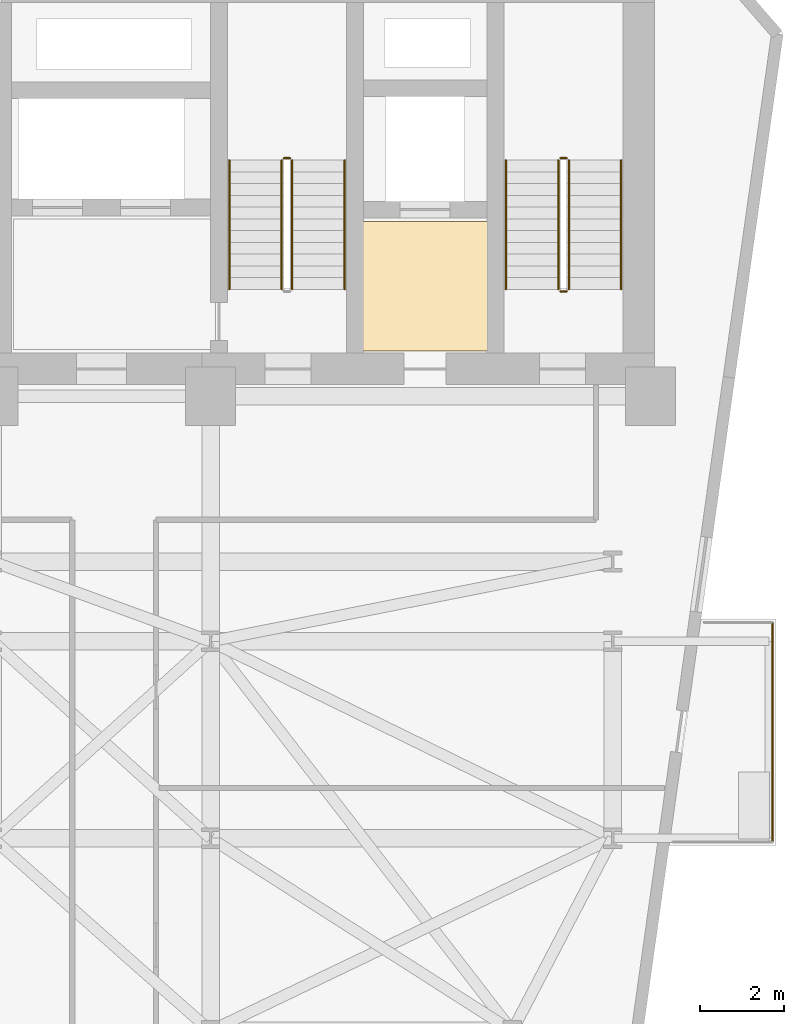
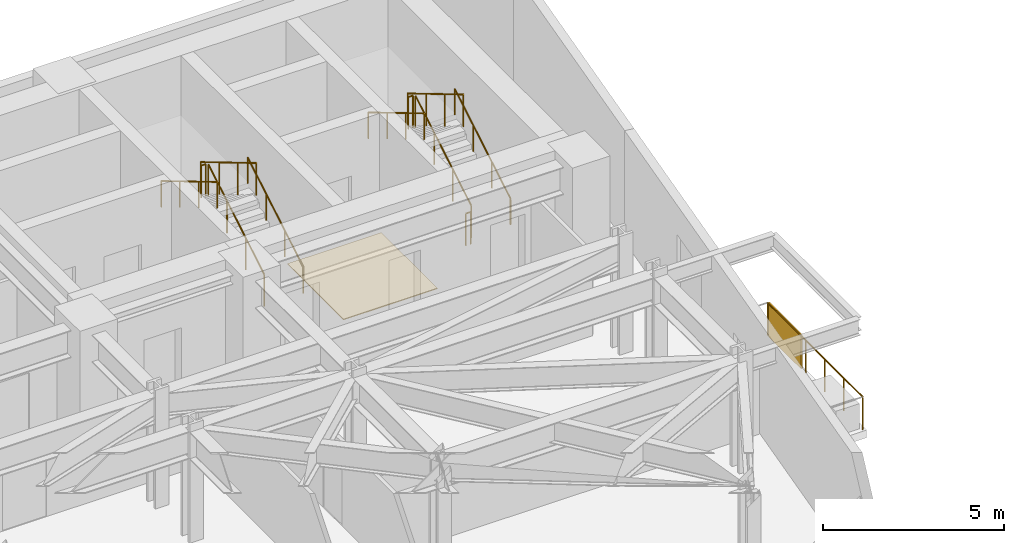
# One storey, part 24 of 24: 12 railings, 1 covering, 1 shading device.
"""IFC4 building model written with IfcOpenShell, lengths in metres."""

from ifc_helpers import new_model, si_unit, direction, frame, origin, origin_2d, place, context, subcontext, project, spatial, polyline, rectangle, circle, outline, extrude, material, layer, layer_set, type_object, element, save


model = new_model("IFC4")

# Units and contexts
model_context = context("Model", 3, precision=1e-05, world=origin(), true_north=direction((0.0, 1.0)))
body_context = subcontext(model_context, "Body", "Model", "MODEL_VIEW")
ifc_project = project(units=[si_unit("LENGTHUNIT", "METRE"), si_unit("AREAUNIT", "SQUARE_METRE"), si_unit("VOLUMEUNIT", "CUBIC_METRE"), si_unit("PLANEANGLEUNIT", "RADIAN"), si_unit("MASSUNIT", "GRAM", prefix="KILO")], contexts=[model_context])

# Site, building, storey
site_placement = place(None, origin())
site = spatial("IfcSite", under=ifc_project, at=site_placement, CompositionType="ELEMENT")
building_placement = place(site_placement, origin())
building = spatial("IfcBuilding", under=site, at=building_placement, Name="Kravanh Interchange Tower", CompositionType="ELEMENT")
storey_placement = place(building_placement, frame((0.0, 0.0, 77.5)))
storey = spatial("IfcBuildingStorey", under=building, at=storey_placement, Name="L18", CompositionType="ELEMENT", Elevation=77.5)

# Covering
ifc_material_1 = material(Name="Cementitious Terrazzo Tile")
ifc_layer_1 = layer(ifc_material_1, 0.030029296875)
ifc_layer_set_1 = layer_set([ifc_layer_1], Name="Honed Terrazzo Lobby Flooring 30mm")
covering_type = type_object("IfcCoveringType", Name="Honed Terrazzo Lobby Flooring 30mm", PredefinedType="FLOORING", material=ifc_layer_set_1)
covering_placement = place(storey_placement, origin())
element("IfcCovering", 1, at=covering_placement, inside=storey, type_object=covering_type, Name="L18 Service Lift Lobby Floor Finish", PredefinedType="FLOORING", context=body_context, shape_type="SweptSolid", body=[
    extrude(outline(polyline([(59.6298828125, 41.52001953125), (62.6201171875, 41.52001953125), (62.6201171875, 38.429931640625), (59.6298828125, 38.429931640625), (59.6298828125, 41.52001953125)])), origin(), (0.0, 0.0, 1.0), 0.030029296875),
])

# Shading device
ifc_material_2 = material(Name="Perforated Anodised Bronze Aluminium", Category="aluminium")
ifc_layer_2 = layer(ifc_material_2, 0.0400390625)
ifc_layer_set_2 = layer_set([ifc_layer_2], Name="Perforated Bronze Balcony Privacy Screen 1150mm")
shading_device_type = type_object("IfcShadingDeviceType", Name="Perforated Bronze Balcony Privacy Screen 1150mm", PredefinedType="USERDEFINED", material=ifc_layer_set_2)
shading_device_placement = place(storey_placement, frame((69.409912109375, 30.97998046875, 0.0), z_axis=(0.0, 0.0, 1.0), x_axis=(1.0, 0.0, 0.0)))
element("IfcShadingDevice", 2, at=shading_device_placement, inside=storey, type_object=shading_device_type, Name="L18 E Perforated Bronze BALCONY SCREEN", ObjectType="SCREEN", PredefinedType="USERDEFINED", context=body_context, shape_type="SweptSolid", body=[
    extrude(rectangle(XDim=0.0400390625, YDim=1.800048828125, at=origin_2d()), origin(), (0.0, 0.0, 1.0), 1.14990234375),
])

# Railings
ifc_material_3 = material(Name="Stainless Steel 316", Category="steel")
ifc_layer_3 = layer(ifc_material_3, 0.06005859375)
ifc_layer_set_3 = layer_set([ifc_layer_3], Name="Perimeter Balcony and Terrace Guardrail Stainless 316 1120mm")
railing_type_1 = type_object("IfcRailingType", Name="Perimeter Balcony and Terrace Guardrail Stainless 316 1120mm", PredefinedType="GUARDRAIL", material=ifc_layer_set_3)
railing_1_placement = place(storey_placement, frame((69.409912109375, 31.949951171875, 0.0)))
element("IfcRailing", 3, at=railing_1_placement, inside=storey, type_object=railing_type_1, Name="L18 E Balcony Guardrail 1", PredefinedType="GUARDRAIL", context=body_context, shape_type="SweptSolid", body=[
    extrude(circle(Radius=0.02392578125, at=origin_2d()), frame((0.0, 0.0, 1.09619140625), z_axis=(0.0, -1.0, 0.0), x_axis=(1.0, 0.0, 0.0)), (0.0, 0.0, 1.0), 5.239990234375),
    extrude(circle(Radius=0.02099609375, at=origin_2d()), origin(), (0.0, 0.0, 1.0), 1.072021484375),
    extrude(circle(Radius=0.02099609375, at=origin_2d()), frame((0.0, -1.048095703125, 0.0)), (0.0, 0.0, 1.0), 1.072021484375),
    extrude(circle(Radius=0.02099609375, at=origin_2d()), frame((0.0, -2.095947265625, 0.0)), (0.0, 0.0, 1.0), 1.072021484375),
    extrude(circle(Radius=0.02099609375, at=origin_2d()), frame((0.0, -3.14404296875, 0.0)), (0.0, 0.0, 1.0), 1.072021484375),
    extrude(circle(Radius=0.02099609375, at=origin_2d()), frame((0.0, -4.19189453125, 0.0)), (0.0, 0.0, 1.0), 1.072021484375),
    extrude(circle(Radius=0.02099609375, at=origin_2d()), frame((0.0, -5.239990234375, 0.0)), (0.0, 0.0, 1.0), 1.072021484375),
])
ifc_material_4 = material(Name="Structural Steel S355", Category="steel")
ifc_layer_4 = layer(ifc_material_4, 0.050048828125)
ifc_layer_set_4 = layer_set([ifc_layer_4], Name="Stair Well Guardrail Structural Steel S355 1100mm")
railing_type_2 = type_object("IfcRailingType", Name="Stair Well Guardrail Structural Steel S355 1100mm", PredefinedType="GUARDRAIL", material=ifc_layer_set_4)
railing_2_placement = place(storey_placement, frame((64.550048828125, 39.89990234375, 0.166748046875)))
element("IfcRailing", 4, at=railing_2_placement, inside=storey, type_object=railing_type_2, Name="L18 ST1 stair guard 1", PredefinedType="GUARDRAIL", context=body_context, shape_type="SweptSolid", body=[
    extrude(circle(Radius=0.02392578125, at=origin_2d()), frame((0.0, 0.0, 1.076171875), z_axis=(0.0, 0.859308565015, 0.511457515432), x_axis=(-1.0, 0.0, 0.0)), (0.0, 0.0, 1.0), 3.58447265625),
    extrude(circle(Radius=0.02099609375, at=origin_2d()), origin(), (0.0, 0.0, 1.0), 1.052001953125),
    extrude(circle(Radius=0.02099609375, at=origin_2d()), frame((0.0, 1.026611328125, 0.611083984375)), (0.0, 0.0, 1.0), 1.052001953125),
    extrude(circle(Radius=0.02099609375, at=origin_2d()), frame((0.0, 2.053466796875, 1.22216796875)), (0.0, 0.0, 1.0), 1.052001953125),
    extrude(circle(Radius=0.02099609375, at=origin_2d()), frame((0.0, 3.080078125, 1.833251953125)), (0.0, 0.0, 1.0), 1.052001953125),
])
railing_3_placement = place(storey_placement, frame((64.5, 43.030029296875, 2.0)))
element("IfcRailing", 5, at=railing_3_placement, inside=storey, type_object=railing_type_2, Name="L18 ST1 stair guard 2", PredefinedType="GUARDRAIL", context=body_context, shape_type="SweptSolid", body=[
    extrude(circle(Radius=0.02392578125, at=origin_2d()), frame((0.0, 0.0, 1.076171875), z_axis=(-1.0, 0.0, 0.0), x_axis=(0.0, -1.0, 0.0)), (0.0, 0.0, 1.0), 0.14990234375),
    extrude(circle(Radius=0.02099609375, at=origin_2d()), origin(), (0.0, 0.0, 1.0), 1.052001953125),
    extrude(circle(Radius=0.02099609375, at=origin_2d()), frame((-0.14990234375, 0.0, 0.0)), (0.0, 0.0, 1.0), 1.052001953125),
])
railing_4_placement = place(storey_placement, frame((64.300048828125, 42.97998046875, 2.166748046875)))
element("IfcRailing", 6, at=railing_4_placement, inside=storey, type_object=railing_type_2, Name="L18 ST1 stair guard 3", PredefinedType="GUARDRAIL", context=body_context, shape_type="SweptSolid", body=[
    extrude(circle(Radius=0.02392578125, at=origin_2d()), frame((0.0, 0.0, 1.076171875), z_axis=(0.0, -0.859308565015, 0.511457515432), x_axis=(1.0, 0.0, 0.0)), (0.0, 0.0, 1.0), 3.58447265625),
    extrude(circle(Radius=0.02099609375, at=origin_2d()), origin(), (0.0, 0.0, 1.0), 1.052001953125),
    extrude(circle(Radius=0.02099609375, at=origin_2d()), frame((0.0, -1.026611328125, 0.611083984375)), (0.0, 0.0, 1.0), 1.052001953125),
    extrude(circle(Radius=0.02099609375, at=origin_2d()), frame((0.0, -2.053466796875, 1.22216796875)), (0.0, 0.0, 1.0), 1.052001953125),
    extrude(circle(Radius=0.02099609375, at=origin_2d()), frame((0.0, -3.080078125, 1.833251953125)), (0.0, 0.0, 1.0), 1.052001953125),
])
railing_5_placement = place(storey_placement, frame((64.5, 39.85009765625, 0.0)))
element("IfcRailing", 7, at=railing_5_placement, inside=storey, type_object=railing_type_2, Name="L18 ST1 stair guard 4", PredefinedType="GUARDRAIL", context=body_context, shape_type="SweptSolid", body=[
    extrude(circle(Radius=0.02392578125, at=origin_2d()), frame((0.0, 0.0, 1.076171875), z_axis=(-1.0, 0.0, 0.0), x_axis=(0.0, -1.0, 0.0)), (0.0, 0.0, 1.0), 0.14990234375),
    extrude(circle(Radius=0.02099609375, at=origin_2d()), origin(), (0.0, 0.0, 1.0), 1.052001953125),
    extrude(circle(Radius=0.02099609375, at=origin_2d()), frame((-0.14990234375, 0.0, 0.0)), (0.0, 0.0, 1.0), 1.052001953125),
])
railing_6_placement = place(storey_placement, frame((57.949951171875, 39.89990234375, 0.166748046875)))
element("IfcRailing", 8, at=railing_6_placement, inside=storey, type_object=railing_type_2, Name="L18 ST2 stair guard 1", PredefinedType="GUARDRAIL", context=body_context, shape_type="SweptSolid", body=[
    extrude(circle(Radius=0.02392578125, at=origin_2d()), frame((0.0, 0.0, 1.076171875), z_axis=(0.0, 0.859308565015, 0.511457515432), x_axis=(-1.0, 0.0, 0.0)), (0.0, 0.0, 1.0), 3.58447265625),
    extrude(circle(Radius=0.02099609375, at=origin_2d()), origin(), (0.0, 0.0, 1.0), 1.052001953125),
    extrude(circle(Radius=0.02099609375, at=origin_2d()), frame((0.0, 1.026611328125, 0.611083984375)), (0.0, 0.0, 1.0), 1.052001953125),
    extrude(circle(Radius=0.02099609375, at=origin_2d()), frame((0.0, 2.053466796875, 1.22216796875)), (0.0, 0.0, 1.0), 1.052001953125),
    extrude(circle(Radius=0.02099609375, at=origin_2d()), frame((0.0, 3.080078125, 1.833251953125)), (0.0, 0.0, 1.0), 1.052001953125),
])
railing_7_placement = place(storey_placement, frame((57.89990234375, 43.030029296875, 2.0)))
element("IfcRailing", 9, at=railing_7_placement, inside=storey, type_object=railing_type_2, Name="L18 ST2 stair guard 2", PredefinedType="GUARDRAIL", context=body_context, shape_type="SweptSolid", body=[
    extrude(circle(Radius=0.02392578125, at=origin_2d()), frame((0.0, 0.0, 1.076171875), z_axis=(-1.0, 0.0, 0.0), x_axis=(0.0, -1.0, 0.0)), (0.0, 0.0, 1.0), 0.14990234375),
    extrude(circle(Radius=0.02099609375, at=origin_2d()), origin(), (0.0, 0.0, 1.0), 1.052001953125),
    extrude(circle(Radius=0.02099609375, at=origin_2d()), frame((-0.14990234375, 0.0, 0.0)), (0.0, 0.0, 1.0), 1.052001953125),
])
railing_8_placement = place(storey_placement, frame((57.699951171875, 42.97998046875, 2.166748046875)))
element("IfcRailing", 10, at=railing_8_placement, inside=storey, type_object=railing_type_2, Name="L18 ST2 stair guard 3", PredefinedType="GUARDRAIL", context=body_context, shape_type="SweptSolid", body=[
    extrude(circle(Radius=0.02392578125, at=origin_2d()), frame((0.0, 0.0, 1.076171875), z_axis=(0.0, -0.859308565015, 0.511457515432), x_axis=(1.0, 0.0, 0.0)), (0.0, 0.0, 1.0), 3.58447265625),
    extrude(circle(Radius=0.02099609375, at=origin_2d()), origin(), (0.0, 0.0, 1.0), 1.052001953125),
    extrude(circle(Radius=0.02099609375, at=origin_2d()), frame((0.0, -1.026611328125, 0.611083984375)), (0.0, 0.0, 1.0), 1.052001953125),
    extrude(circle(Radius=0.02099609375, at=origin_2d()), frame((0.0, -2.053466796875, 1.22216796875)), (0.0, 0.0, 1.0), 1.052001953125),
    extrude(circle(Radius=0.02099609375, at=origin_2d()), frame((0.0, -3.080078125, 1.833251953125)), (0.0, 0.0, 1.0), 1.052001953125),
])
ifc_material_5 = material(Name="Stainless Steel 304", Category="steel")
ifc_layer_5 = layer(ifc_material_5, 0.044921875)
ifc_layer_set_5 = layer_set([ifc_layer_5], Name="Tubular Stair Handrail Stainless 304 900mm")
railing_type_3 = type_object("IfcRailingType", Name="Tubular Stair Handrail Stainless 304 900mm", PredefinedType="HANDRAIL", material=ifc_layer_set_5)
railing_9_placement = place(storey_placement, frame((65.800048828125, 39.89990234375, 0.166748046875)))
element("IfcRailing", 11, at=railing_9_placement, inside=storey, type_object=railing_type_3, Name="L18 ST1 stair handrail 1", PredefinedType="HANDRAIL", context=body_context, shape_type="SweptSolid", body=[
    extrude(circle(Radius=0.02392578125, at=origin_2d()), frame((0.0, 0.0, 0.8759765625), z_axis=(0.0, 0.859308565015, 0.511457515432), x_axis=(-1.0, 0.0, 0.0)), (0.0, 0.0, 1.0), 3.58447265625),
    extrude(circle(Radius=0.02099609375, at=origin_2d()), origin(), (0.0, 0.0, 1.0), 0.851806640625),
    extrude(circle(Radius=0.02099609375, at=origin_2d()), frame((0.0, 1.026611328125, 0.611083984375)), (0.0, 0.0, 1.0), 0.851806640625),
    extrude(circle(Radius=0.02099609375, at=origin_2d()), frame((0.0, 2.053466796875, 1.22216796875)), (0.0, 0.0, 1.0), 0.851806640625),
    extrude(circle(Radius=0.02099609375, at=origin_2d()), frame((0.0, 3.080078125, 1.833251953125)), (0.0, 0.0, 1.0), 0.851806640625),
])
railing_10_placement = place(storey_placement, frame((63.050048828125, 42.97998046875, 2.166748046875)))
element("IfcRailing", 12, at=railing_10_placement, inside=storey, type_object=railing_type_3, Name="L18 ST1 stair handrail 2", PredefinedType="HANDRAIL", context=body_context, shape_type="SweptSolid", body=[
    extrude(circle(Radius=0.02392578125, at=origin_2d()), frame((0.0, 0.0, 0.8759765625), z_axis=(0.0, -0.859308565015, 0.511457515432), x_axis=(1.0, 0.0, 0.0)), (0.0, 0.0, 1.0), 3.58447265625),
    extrude(circle(Radius=0.02099609375, at=origin_2d()), origin(), (0.0, 0.0, 1.0), 0.851806640625),
    extrude(circle(Radius=0.02099609375, at=origin_2d()), frame((0.0, -1.026611328125, 0.611083984375)), (0.0, 0.0, 1.0), 0.851806640625),
    extrude(circle(Radius=0.02099609375, at=origin_2d()), frame((0.0, -2.053466796875, 1.22216796875)), (0.0, 0.0, 1.0), 0.851806640625),
    extrude(circle(Radius=0.02099609375, at=origin_2d()), frame((0.0, -3.080078125, 1.833251953125)), (0.0, 0.0, 1.0), 0.851806640625),
])
railing_11_placement = place(storey_placement, frame((59.199951171875, 39.89990234375, 0.166748046875)))
element("IfcRailing", 13, at=railing_11_placement, inside=storey, type_object=railing_type_3, Name="L18 ST2 stair handrail 1", PredefinedType="HANDRAIL", context=body_context, shape_type="SweptSolid", body=[
    extrude(circle(Radius=0.02392578125, at=origin_2d()), frame((0.0, 0.0, 0.8759765625), z_axis=(0.0, 0.859308565015, 0.511457515432), x_axis=(-1.0, 0.0, 0.0)), (0.0, 0.0, 1.0), 3.58447265625),
    extrude(circle(Radius=0.02099609375, at=origin_2d()), origin(), (0.0, 0.0, 1.0), 0.851806640625),
    extrude(circle(Radius=0.02099609375, at=origin_2d()), frame((0.0, 1.026611328125, 0.611083984375)), (0.0, 0.0, 1.0), 0.851806640625),
    extrude(circle(Radius=0.02099609375, at=origin_2d()), frame((0.0, 2.053466796875, 1.22216796875)), (0.0, 0.0, 1.0), 0.851806640625),
    extrude(circle(Radius=0.02099609375, at=origin_2d()), frame((0.0, 3.080078125, 1.833251953125)), (0.0, 0.0, 1.0), 0.851806640625),
])
railing_12_placement = place(storey_placement, frame((56.449951171875, 42.97998046875, 2.166748046875)))
element("IfcRailing", 14, at=railing_12_placement, inside=storey, type_object=railing_type_3, Name="L18 ST2 stair handrail 2", PredefinedType="HANDRAIL", context=body_context, shape_type="SweptSolid", body=[
    extrude(circle(Radius=0.02392578125, at=origin_2d()), frame((0.0, 0.0, 0.8759765625), z_axis=(0.0, -0.859308565015, 0.511457515432), x_axis=(1.0, 0.0, 0.0)), (0.0, 0.0, 1.0), 3.58447265625),
    extrude(circle(Radius=0.02099609375, at=origin_2d()), origin(), (0.0, 0.0, 1.0), 0.851806640625),
    extrude(circle(Radius=0.02099609375, at=origin_2d()), frame((0.0, -1.026611328125, 0.611083984375)), (0.0, 0.0, 1.0), 0.851806640625),
    extrude(circle(Radius=0.02099609375, at=origin_2d()), frame((0.0, -2.053466796875, 1.22216796875)), (0.0, 0.0, 1.0), 0.851806640625),
    extrude(circle(Radius=0.02099609375, at=origin_2d()), frame((0.0, -3.080078125, 1.833251953125)), (0.0, 0.0, 1.0), 0.851806640625),
])

save(model, "model.ifc")
